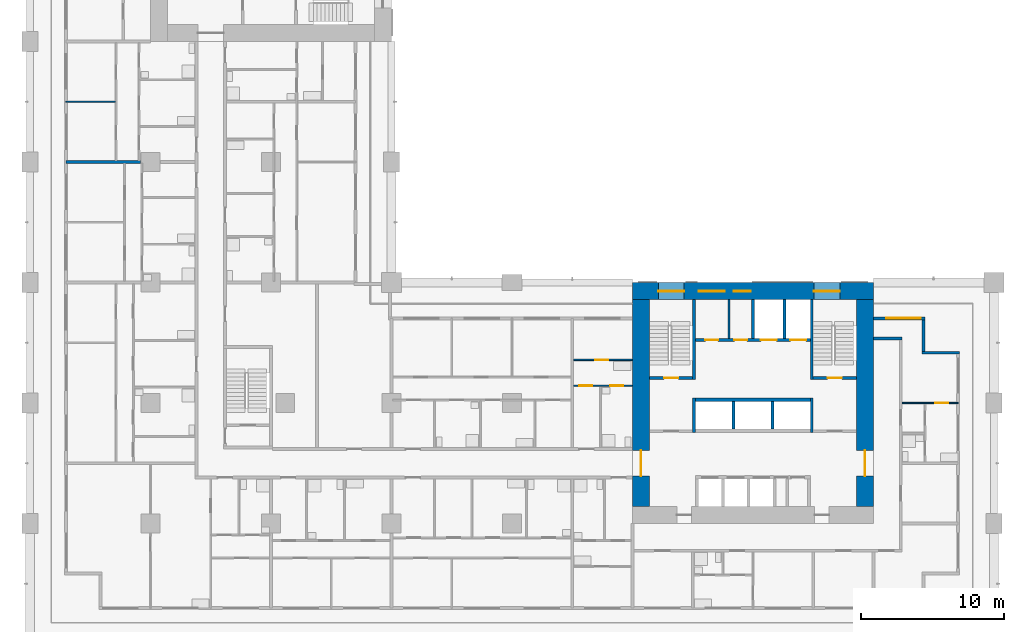
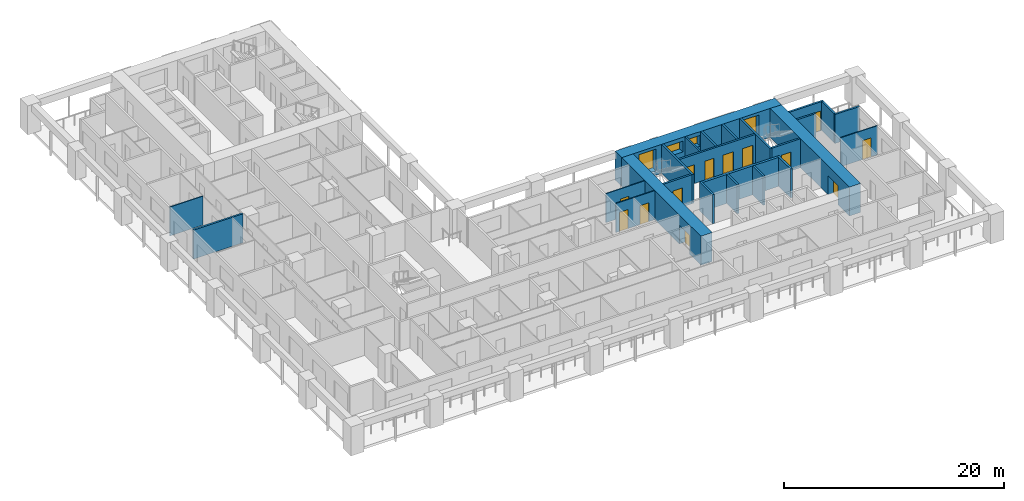
# One storey, part 7 of 19: 25 walls, 13 doors, 4 windows, 17 openings.
"""IFC4 building model written with IfcOpenShell, lengths in metres."""

from ifc_helpers import new_model, si_unit, direction, frame, frame_2d, origin, place, context, subcontext, project, spatial, rectangle, extrude, material, layer, layer_set, type_object, element, fill, save


model = new_model("IFC4")

# Units and contexts
model_context = context("Model", 3, precision=1e-05, world=origin(), true_north=direction((0.0, 1.0)))
body_context = subcontext(model_context, "Body", "Model", "MODEL_VIEW")
ifc_project = project(units=[si_unit("LENGTHUNIT", "METRE"), si_unit("AREAUNIT", "SQUARE_METRE"), si_unit("VOLUMEUNIT", "CUBIC_METRE"), si_unit("PLANEANGLEUNIT", "RADIAN"), si_unit("MASSUNIT", "GRAM", prefix="KILO")], contexts=[model_context])

# Site, building, storey
site_placement = place(None, origin())
site = spatial("IfcSite", under=ifc_project, at=site_placement, CompositionType="ELEMENT")
building_placement = place(site_placement, origin())
building = spatial("IfcBuilding", under=site, at=building_placement, Name="Vermilion Gate Residences", CompositionType="ELEMENT")
storey_placement = place(building_placement, frame((0.0, 0.0, 49.699951171875)))
storey = spatial("IfcBuildingStorey", under=building, at=storey_placement, Name="L11", CompositionType="ELEMENT", Elevation=49.699951171875)

# Walls
ifc_material_1 = material(Name="Masonry blockwork", Category="masonry")
ifc_layer_1 = layer(ifc_material_1, 0.14990234375)
ifc_layer_set_1 = layer_set([ifc_layer_1], Name="BLOCKWORK PARTITION 150 EI 120")
wall_type_1 = type_object("IfcWallType", Name="BLOCKWORK PARTITION 150 EI 120", PredefinedType="PARTITIONING", material=ifc_layer_set_1)
wall_1_placement = place(storey_placement, frame((48.72509765625, 21.300048828125, 0.0), z_axis=(0.0, 0.0, 1.0), x_axis=(0.0, 1.0, 0.0)))
element("IfcWall", 1, at=wall_1_placement, inside=storey, type_object=wall_type_1, Name="Core room partition A11-NR-P0", PredefinedType="PARTITIONING", context=body_context, shape_type="SweptSolid", body=[
    extrude(rectangle(XDim=2.699951171875, YDim=0.14990234375, at=frame_2d((1.35009765625, 0.0))), origin(), (0.0, 0.0, 1.0), 3.219970703125),
])
ifc_material_2 = material(Name="Insulated steel stud wall with terracotta rainscreen", Category="masonry")
ifc_layer_2 = layer(ifc_material_2, 0.199951171875)
ifc_layer_set_2 = layer_set([ifc_layer_2], Name="EXTERNAL WALL 200 TERRACOTTA RAINSCREEN")
wall_type_2 = type_object("IfcWallType", Name="EXTERNAL WALL 200 TERRACOTTA RAINSCREEN", PredefinedType="SOLIDWALL", material=ifc_layer_set_2)
wall_2_placement = place(storey_placement, frame((64.800048828125, 20.300048828125, 0.0), z_axis=(0.0, 0.0, 1.0), x_axis=(-1.0, 0.0, 0.0)))
element("IfcWall", 2, at=wall_2_placement, inside=storey, type_object=wall_type_2, Name="External wall", PredefinedType="SOLIDWALL", context=body_context, shape_type="SweptSolid", body=[
    extrude(rectangle(XDim=2.60009765625, YDim=0.199951171875, at=frame_2d((1.300048828125, 0.0))), origin(), (0.0, 0.0, 1.0), 3.219970703125),
])
wall_3_placement = place(storey_placement, frame((62.300048828125, 20.39990234375, 0.0), z_axis=(0.0, 0.0, 1.0), x_axis=(0.0, 1.0, 0.0)))
element("IfcWall", 3, at=wall_3_placement, inside=storey, type_object=wall_type_2, Name="External wall", PredefinedType="SOLIDWALL", context=body_context, shape_type="SweptSolid", body=[
    extrude(rectangle(XDim=2.2001953125, YDim=0.199951171875, at=frame_2d((1.10009765625, 0.0))), origin(), (0.0, 0.0, 1.0), 3.219970703125),
])

# Wall, opening, door
wall_4_placement = place(storey_placement, frame((62.39990234375, 22.699951171875, 0.0), z_axis=(0.0, 0.0, 1.0), x_axis=(-1.0, 0.0, 0.0)))
wall_4 = element("IfcWall", 4, at=wall_4_placement, inside=storey, type_object=wall_type_2, Name="External wall", PredefinedType="SOLIDWALL", context=body_context, shape_type="SweptSolid", body=[
    extrude(rectangle(XDim=3.599853515625, YDim=0.199951171875, at=frame_2d((1.7998046875, 0.0))), origin(), (0.0, 0.0, 1.0), 3.219970703125),
])
opening_1_placement = place(wall_4_placement, frame((0.300048828125, 0.0, 0.0)))
opening_1 = element("IfcOpeningElement", 5, at=opening_1_placement, cuts=wall_4, Name="Opening DE11032", PredefinedType="OPENING", context=body_context, shape_type="SweptSolid", body=[
    extrude(rectangle(XDim=2.39990234375, YDim=2.199951171875, at=frame_2d((1.199951171875, 1.10009765625))), frame((0.0, 0.10986328125, 0.0), z_axis=(0.0, -1.0, 0.0), x_axis=(1.0, 0.0, 0.0)), (0.0, 0.0, 1.0), 0.219970703125),
])
ifc_material_3 = material(Name="Aluminium and clear glass", Category="aluminium")
door_type_1 = type_object("IfcDoorType", Name="SLIDING GLAZED DOOR 2400 X 2200", OperationType="DOUBLE_DOOR_SLIDING", PredefinedType="DOOR", material=ifc_material_3)
door_1_placement = place(opening_1_placement, origin())
door_1 = element("IfcDoor", 6, at=door_1_placement, inside=storey, type_object=door_type_1, Name="Loggia sliding door", OperationType="DOUBLE_DOOR_SLIDING", OverallHeight=2.199951171875, OverallWidth=2.39990234375, PredefinedType="DOOR", context=body_context, shape_type="SweptSolid", body=[
    extrude(rectangle(XDim=2.39990234375, YDim=2.199951171875, at=frame_2d((1.199951171875, 1.10009765625))), frame((0.0, 0.02490234375, 0.0), z_axis=(0.0, -1.0, 0.0), x_axis=(1.0, 0.0, 0.0)), (0.0, 0.0, 1.0), 0.050048828125),
])
fill(opening_1, door_1)

ifc_material_4 = material(Name="Plasterboard on steel studs", Category="steel")
ifc_layer_3 = layer(ifc_material_4, 0.10009765625)
ifc_layer_set_3 = layer_set([ifc_layer_3], Name="PARTITION 100")
wall_type_3 = type_object("IfcWallType", Name="PARTITION 100", PredefinedType="PARTITIONING", material=ifc_layer_set_3)
wall_5_placement = place(storey_placement, frame((60.800048828125, 16.800048828125, 0.0), z_axis=(0.0, 0.0, 1.0), x_axis=(1.0, 0.0, 0.0)))
wall_5 = element("IfcWall", 7, at=wall_5_placement, inside=storey, type_object=wall_type_3, Name="Partition", PredefinedType="PARTITIONING", context=body_context, shape_type="SweptSolid", body=[
    extrude(rectangle(XDim=3.89990234375, YDim=0.10009765625, at=frame_2d((1.949951171875, 0.0))), origin(), (0.0, 0.0, 1.0), 3.219970703125),
])
opening_2_placement = place(wall_5_placement, frame((2.300048828125, 0.0, 0.0)))
opening_2 = element("IfcOpeningElement", 8, at=opening_2_placement, cuts=wall_5, Name="Opening DA10031", PredefinedType="OPENING", context=body_context, shape_type="SweptSolid", body=[
    extrude(rectangle(XDim=0.89990234375, YDim=2.10009765625, at=frame_2d((0.449951171875, 1.050048828125))), frame((0.0, 0.06005859375, 0.0), z_axis=(0.0, -1.0, 0.0), x_axis=(1.0, 0.0, 0.0)), (0.0, 0.0, 1.0), 0.1201171875),
])
ifc_material_5 = material(Name="Timber", Category="wood")
door_type_2 = type_object("IfcDoorType", Name="INTERIOR DOOR 900 X 2100", OperationType="SINGLE_SWING_LEFT", PredefinedType="DOOR", material=ifc_material_5)
door_2_placement = place(opening_2_placement, frame((0.89990234375, 0.0, 0.0), z_axis=(0.0, 0.0, 1.0), x_axis=(-1.0, 0.0, 0.0)))
door_2 = element("IfcDoor", 9, at=door_2_placement, inside=storey, type_object=door_type_2, Name="Interior door", OperationType="SINGLE_SWING_LEFT", OverallHeight=2.10009765625, OverallWidth=0.89990234375, PredefinedType="DOOR", context=body_context, shape_type="SweptSolid", body=[
    extrude(rectangle(XDim=0.89990234375, YDim=2.10009765625, at=frame_2d((0.449951171875, 1.050048828125))), frame((0.0, 0.02490234375, 0.0), z_axis=(0.0, -1.0, 0.0), x_axis=(1.0, 0.0, 0.0)), (0.0, 0.0, 1.0), 0.050048828125),
])
fill(opening_2, door_2)

# Wall, openings, doors
wall_6_placement = place(storey_placement, frame((37.89990234375, 18.0, 0.0), z_axis=(0.0, 0.0, 1.0), x_axis=(1.0, 0.0, 0.0)))
wall_6 = element("IfcWall", 10, at=wall_6_placement, inside=storey, type_object=wall_type_3, Name="Partition", PredefinedType="PARTITIONING", context=body_context, shape_type="SweptSolid", body=[
    extrude(rectangle(XDim=4.10009765625, YDim=0.10009765625, at=frame_2d((2.050048828125, 0.0))), origin(), (0.0, 0.0, 1.0), 3.219970703125),
])
opening_3_placement = place(wall_6_placement, frame((0.39990234375, 0.0, 0.0)))
opening_3 = element("IfcOpeningElement", 11, at=opening_3_placement, cuts=wall_6, Name="Opening DA10036", PredefinedType="OPENING", context=body_context, shape_type="SweptSolid", body=[
    extrude(rectangle(XDim=0.89990234375, YDim=2.10009765625, at=frame_2d((0.449951171875, 1.050048828125))), frame((0.0, 0.06005859375, 0.0), z_axis=(0.0, -1.0, 0.0), x_axis=(1.0, 0.0, 0.0)), (0.0, 0.0, 1.0), 0.1201171875),
])
opening_4_placement = place(wall_6_placement, frame((2.56005859375, 0.0, 0.0)))
opening_4 = element("IfcOpeningElement", 12, at=opening_4_placement, cuts=wall_6, Name="Opening DA10037", PredefinedType="OPENING", context=body_context, shape_type="SweptSolid", body=[
    extrude(rectangle(XDim=0.89990234375, YDim=2.10009765625, at=frame_2d((0.449951171875, 1.050048828125))), frame((0.0, 0.06005859375, 0.0), z_axis=(0.0, -1.0, 0.0), x_axis=(1.0, 0.0, 0.0)), (0.0, 0.0, 1.0), 0.1201171875),
])
door_3_placement = place(opening_3_placement, origin())
door_3 = element("IfcDoor", 13, at=door_3_placement, inside=storey, type_object=door_type_2, Name="Interior door", OperationType="SINGLE_SWING_LEFT", OverallHeight=2.10009765625, OverallWidth=0.89990234375, PredefinedType="DOOR", context=body_context, shape_type="SweptSolid", body=[
    extrude(rectangle(XDim=0.89990234375, YDim=2.10009765625, at=frame_2d((0.449951171875, 1.050048828125))), frame((0.0, 0.02490234375, 0.0), z_axis=(0.0, -1.0, 0.0), x_axis=(1.0, 0.0, 0.0)), (0.0, 0.0, 1.0), 0.050048828125),
])
fill(opening_3, door_3)
door_4_placement = place(opening_4_placement, origin())
door_4 = element("IfcDoor", 14, at=door_4_placement, inside=storey, type_object=door_type_2, Name="Interior door", OperationType="SINGLE_SWING_RIGHT", OverallHeight=2.10009765625, OverallWidth=0.89990234375, PredefinedType="DOOR", context=body_context, shape_type="SweptSolid", body=[
    extrude(rectangle(XDim=0.89990234375, YDim=2.10009765625, at=frame_2d((0.449951171875, 1.050048828125))), frame((0.0, 0.02490234375, 0.0), z_axis=(0.0, -1.0, 0.0), x_axis=(1.0, 0.0, 0.0)), (0.0, 0.0, 1.0), 0.050048828125),
])
fill(opening_4, door_4)

# Wall, opening, door
wall_7_placement = place(storey_placement, frame((37.89990234375, 19.800048828125, 0.0), z_axis=(0.0, 0.0, 1.0), x_axis=(1.0, 0.0, 0.0)))
wall_7 = element("IfcWall", 15, at=wall_7_placement, inside=storey, type_object=wall_type_3, Name="Partition", PredefinedType="PARTITIONING", context=body_context, shape_type="SweptSolid", body=[
    extrude(rectangle(XDim=4.10009765625, YDim=0.10009765625, at=frame_2d((2.050048828125, 0.0))), origin(), (0.0, 0.0, 1.0), 3.219970703125),
])
opening_5_placement = place(wall_7_placement, frame((1.5, 0.0, 0.0)))
opening_5 = element("IfcOpeningElement", 16, at=opening_5_placement, cuts=wall_7, Name="Opening DA10041", PredefinedType="OPENING", context=body_context, shape_type="SweptSolid", body=[
    extrude(rectangle(XDim=0.89990234375, YDim=2.10009765625, at=frame_2d((0.449951171875, 1.050048828125))), frame((0.0, 0.06005859375, 0.0), z_axis=(0.0, -1.0, 0.0), x_axis=(1.0, 0.0, 0.0)), (0.0, 0.0, 1.0), 0.1201171875),
])
door_5_placement = place(opening_5_placement, frame((0.89990234375, 0.0, 0.0), z_axis=(0.0, 0.0, 1.0), x_axis=(-1.0, 0.0, 0.0)))
door_5 = element("IfcDoor", 17, at=door_5_placement, inside=storey, type_object=door_type_2, Name="Interior door", OperationType="SINGLE_SWING_LEFT", OverallHeight=2.10009765625, OverallWidth=0.89990234375, PredefinedType="DOOR", context=body_context, shape_type="SweptSolid", body=[
    extrude(rectangle(XDim=0.89990234375, YDim=2.10009765625, at=frame_2d((0.449951171875, 1.050048828125))), frame((0.0, 0.02490234375, 0.0), z_axis=(0.0, -1.0, 0.0), x_axis=(1.0, 0.0, 0.0)), (0.0, 0.0, 1.0), 0.050048828125),
])
fill(opening_5, door_5)

# Walls
wall_8_placement = place(storey_placement, frame((2.5, 37.800048828125, 0.0), z_axis=(0.0, 0.0, 1.0), x_axis=(1.0, 0.0, 0.0)))
element("IfcWall", 18, at=wall_8_placement, inside=storey, type_object=wall_type_3, Name="Partition", PredefinedType="PARTITIONING", context=body_context, shape_type="SweptSolid", body=[
    extrude(rectangle(XDim=3.449951171875, YDim=0.10009765625, at=frame_2d((1.72509765625, 0.0))), origin(), (0.0, 0.0, 1.0), 3.219970703125),
])
ifc_material_6 = material(Name="Fire-rated plasterboard on steel studs", Category="steel")
ifc_layer_4 = layer(ifc_material_6, 0.199951171875)
ifc_layer_set_4 = layer_set([ifc_layer_4], Name="PARTY WALL 200 EI 120")
wall_type_4 = type_object("IfcWallType", Name="PARTY WALL 200 EI 120", PredefinedType="PARTITIONING", material=ifc_layer_set_4)
wall_9_placement = place(storey_placement, frame((58.800048828125, 21.300048828125, 0.0), z_axis=(0.0, 0.0, 1.0), x_axis=(1.0, 0.0, 0.0)))
element("IfcWall", 19, at=wall_9_placement, inside=storey, type_object=wall_type_4, Name="Party and corridor wall", PredefinedType="PARTITIONING", context=body_context, shape_type="SweptSolid", body=[
    extrude(rectangle(XDim=2.0, YDim=0.199951171875, at=frame_2d((1.0, 0.0))), origin(), (0.0, 0.0, 1.0), 3.219970703125),
])
wall_10_placement = place(storey_placement, frame((2.5, 33.60009765625, 0.0), z_axis=(0.0, 0.0, 1.0), x_axis=(1.0, 0.0, 0.0)))
element("IfcWall", 20, at=wall_10_placement, inside=storey, type_object=wall_type_4, Name="Party and corridor wall", PredefinedType="PARTITIONING", context=body_context, shape_type="SweptSolid", body=[
    extrude(rectangle(XDim=5.199951171875, YDim=0.199951171875, at=frame_2d((2.60009765625, 0.0))), origin(), (0.0, 0.0, 1.0), 3.219970703125),
])
ifc_material_7 = material(Name="Concrete C60", Category="concrete")
ifc_layer_5 = layer(ifc_material_7, 0.199951171875)
ifc_layer_set_5 = layer_set([ifc_layer_5], Name="RC CORE INTERNAL WALL 200 C60")
wall_type_5 = type_object("IfcWallType", Name="RC CORE INTERNAL WALL 200 C60", PredefinedType="SHEAR", material=ifc_layer_set_5)
for number, where, z_axis, x_axis, name in (
    (21, (49.033447265625, 15.0, 0.0), (0.0, 0.0, 1.0), (0.0, 1.0, 0.0), "Core internal wall A11-HR-D1"),
    (22, (51.7666015625, 15.0, 0.0), (0.0, 0.0, 1.0), (0.0, 1.0, 0.0), "Core internal wall A11-HR-D2"),
):
    element("IfcWall", number, at=place(storey_placement, frame(where, z_axis=z_axis, x_axis=x_axis)), inside=storey, type_object=wall_type_5, Name=name, PredefinedType="SHEAR", context=body_context, shape_type="SweptSolid", body=[
        extrude(rectangle(XDim=1.89990234375, YDim=0.199951171875, at=frame_2d((0.949951171875, 0.0))), origin(), (0.0, 0.0, 1.0), 3.219970703125),
    ])
for number, where, z_axis, x_axis, name in (
    (23, (50.39990234375, 21.300048828125, 0.0), (0.0, 0.0, 1.0), (0.0, 1.0, 0.0), "Core internal wall A11-FF-D0"),
    (24, (52.60009765625, 21.300048828125, 0.0), (0.0, 0.0, 1.0), (0.0, 1.0, 0.0), "Core internal wall A11-FF-D1"),
):
    element("IfcWall", number, at=place(storey_placement, frame(where, z_axis=z_axis, x_axis=x_axis)), inside=storey, type_object=wall_type_5, Name=name, PredefinedType="SHEAR", context=body_context, shape_type="SweptSolid", body=[
        extrude(rectangle(XDim=2.699951171875, YDim=0.199951171875, at=frame_2d((1.35009765625, 0.0))), origin(), (0.0, 0.0, 1.0), 3.219970703125),
    ])

# Wall, openings, doors
wall_11_placement = place(storey_placement, frame((46.39990234375, 21.199951171875, 0.0), z_axis=(0.0, 0.0, 1.0), x_axis=(1.0, 0.0, 0.0)))
wall_11 = element("IfcWall", 25, at=wall_11_placement, inside=storey, type_object=wall_type_5, Name="Core internal wall A11-FF-F", PredefinedType="SHEAR", context=body_context, shape_type="SweptSolid", body=[
    extrude(rectangle(XDim=8.0, YDim=0.199951171875, at=frame_2d((4.0, 0.0))), origin(), (0.0, 0.0, 1.0), 3.219970703125),
])
opening_6_placement = place(wall_11_placement, frame((0.675048828125, 0.0, 0.0)))
opening_6 = element("IfcOpeningElement", 26, at=opening_6_placement, cuts=wall_11, Name="Opening DK11010", PredefinedType="OPENING", context=body_context, shape_type="SweptSolid", body=[
    extrude(rectangle(XDim=0.89990234375, YDim=2.10009765625, at=frame_2d((0.449951171875, 1.050048828125))), frame((0.0, 0.10986328125, 0.0), z_axis=(0.0, -1.0, 0.0), x_axis=(1.0, 0.0, 0.0)), (0.0, 0.0, 1.0), 0.219970703125),
])
opening_7_placement = place(wall_11_placement, frame((2.699951171875, 0.0, 0.0)))
opening_7 = element("IfcOpeningElement", 27, at=opening_7_placement, cuts=wall_11, Name="Opening DK11011", PredefinedType="OPENING", context=body_context, shape_type="SweptSolid", body=[
    extrude(rectangle(XDim=0.89990234375, YDim=2.10009765625, at=frame_2d((0.449951171875, 1.050048828125))), frame((0.0, 0.10986328125, 0.0), z_axis=(0.0, -1.0, 0.0), x_axis=(1.0, 0.0, 0.0)), (0.0, 0.0, 1.0), 0.219970703125),
])
opening_8_placement = place(wall_11_placement, frame((4.550048828125, 0.0, 0.0)))
opening_8 = element("IfcOpeningElement", 28, at=opening_8_placement, cuts=wall_11, Name="Opening LD", PredefinedType="OPENING", context=body_context, shape_type="SweptSolid", body=[
    extrude(rectangle(XDim=1.10009765625, YDim=2.10009765625, at=frame_2d((0.550048828125, 1.050048828125))), frame((0.0, 0.10986328125, 0.0), z_axis=(0.0, -1.0, 0.0), x_axis=(1.0, 0.0, 0.0)), (0.0, 0.0, 1.0), 0.219970703125),
])
opening_9_placement = place(wall_11_placement, frame((6.60009765625, 0.0, 0.0)))
opening_9 = element("IfcOpeningElement", 29, at=opening_9_placement, cuts=wall_11, Name="Opening LD", PredefinedType="OPENING", context=body_context, shape_type="SweptSolid", body=[
    extrude(rectangle(XDim=1.10009765625, YDim=2.10009765625, at=frame_2d((0.550048828125, 1.050048828125))), frame((0.0, 0.10986328125, 0.0), z_axis=(0.0, -1.0, 0.0), x_axis=(1.0, 0.0, 0.0)), (0.0, 0.0, 1.0), 0.219970703125),
])
ifc_material_8 = material(Name="Stainless steel", Category="steel")
door_type_3 = type_object("IfcDoorType", Name="LIFT LANDING DOOR E60 1100 X 2100", OperationType="DOUBLE_DOOR_SLIDING", PredefinedType="DOOR", material=ifc_material_8)
door_6_placement = place(opening_8_placement, origin())
door_6 = element("IfcDoor", 30, at=door_6_placement, inside=storey, type_object=door_type_3, Name="Lift landing door LFA1", OperationType="DOUBLE_DOOR_SLIDING", OverallHeight=2.10009765625, OverallWidth=1.10009765625, PredefinedType="DOOR", context=body_context, shape_type="SweptSolid", body=[
    extrude(rectangle(XDim=1.10009765625, YDim=2.10009765625, at=frame_2d((0.550048828125, 1.050048828125))), frame((0.0, 0.02490234375, 0.0), z_axis=(0.0, -1.0, 0.0), x_axis=(1.0, 0.0, 0.0)), (0.0, 0.0, 1.0), 0.050048828125),
])
fill(opening_8, door_6)
door_7_placement = place(opening_9_placement, origin())
door_7 = element("IfcDoor", 31, at=door_7_placement, inside=storey, type_object=door_type_3, Name="Lift landing door LCA1", OperationType="DOUBLE_DOOR_SLIDING", OverallHeight=2.10009765625, OverallWidth=1.10009765625, PredefinedType="DOOR", context=body_context, shape_type="SweptSolid", body=[
    extrude(rectangle(XDim=1.10009765625, YDim=2.10009765625, at=frame_2d((0.550048828125, 1.050048828125))), frame((0.0, 0.02490234375, 0.0), z_axis=(0.0, -1.0, 0.0), x_axis=(1.0, 0.0, 0.0)), (0.0, 0.0, 1.0), 0.050048828125),
])
fill(opening_9, door_7)
ifc_material_9 = material(Name="Steel", Category="steel")
door_type_4 = type_object("IfcDoorType", Name="SERVICE ROOM DOOR FD60 900 X 2100", OperationType="SINGLE_SWING_LEFT", PredefinedType="DOOR", material=ifc_material_9)
door_8_placement = place(opening_6_placement, origin())
door_8 = element("IfcDoor", 32, at=door_8_placement, inside=storey, type_object=door_type_4, Name="Parcel room A11", OperationType="SINGLE_SWING_LEFT", OverallHeight=2.10009765625, OverallWidth=0.89990234375, PredefinedType="DOOR", context=body_context, shape_type="SweptSolid", body=[
    extrude(rectangle(XDim=0.89990234375, YDim=2.10009765625, at=frame_2d((0.449951171875, 1.050048828125))), frame((0.0, 0.02490234375, 0.0), z_axis=(0.0, -1.0, 0.0), x_axis=(1.0, 0.0, 0.0)), (0.0, 0.0, 1.0), 0.050048828125),
])
fill(opening_6, door_8)
door_9_placement = place(opening_7_placement, frame((0.89990234375, 0.0, 0.0), z_axis=(0.0, 0.0, 1.0), x_axis=(-1.0, 0.0, 0.0)))
door_9 = element("IfcDoor", 33, at=door_9_placement, inside=storey, type_object=door_type_4, Name="Electrical room A11", OperationType="SINGLE_SWING_RIGHT", OverallHeight=2.10009765625, OverallWidth=0.89990234375, PredefinedType="DOOR", context=body_context, shape_type="SweptSolid", body=[
    extrude(rectangle(XDim=0.89990234375, YDim=2.10009765625, at=frame_2d((0.449951171875, 1.050048828125))), frame((0.0, 0.02490234375, 0.0), z_axis=(0.0, -1.0, 0.0), x_axis=(1.0, 0.0, 0.0)), (0.0, 0.0, 1.0), 0.050048828125),
])
fill(opening_7, door_9)

# Walls
wall_12_placement = place(storey_placement, frame((46.300048828125, 14.75, 0.0), z_axis=(0.0, 0.0, 1.0), x_axis=(0.0, 1.0, 0.0)))
element("IfcWall", 34, at=wall_12_placement, inside=storey, type_object=wall_type_5, Name="Core internal wall A11-WDIV1", PredefinedType="SHEAR", context=body_context, shape_type="SweptSolid", body=[
    extrude(rectangle(XDim=2.39990234375, YDim=0.199951171875, at=frame_2d((1.199951171875, 0.0))), origin(), (0.0, 0.0, 1.0), 3.219970703125),
])
wall_13_placement = place(storey_placement, frame((46.300048828125, 18.449951171875, 0.0), z_axis=(0.0, 0.0, 1.0), x_axis=(0.0, 1.0, 0.0)))
element("IfcWall", 35, at=wall_13_placement, inside=storey, type_object=wall_type_5, Name="Core internal wall A11-WDIV2", PredefinedType="SHEAR", context=body_context, shape_type="SweptSolid", body=[
    extrude(rectangle(XDim=5.550048828125, YDim=0.199951171875, at=frame_2d((2.77490234375, 0.0))), origin(), (0.0, 0.0, 1.0), 3.219970703125),
])

# Wall, opening, door
wall_14_placement = place(storey_placement, frame((43.199951171875, 18.550048828125, 0.0), z_axis=(0.0, 0.0, 1.0), x_axis=(1.0, 0.0, 0.0)))
wall_14 = element("IfcWall", 36, at=wall_14_placement, inside=storey, type_object=wall_type_5, Name="Core internal wall A11-STW-S", PredefinedType="SHEAR", context=body_context, shape_type="SweptSolid", body=[
    extrude(rectangle(XDim=3.0, YDim=0.199951171875, at=frame_2d((1.5, 0.0))), origin(), (0.0, 0.0, 1.0), 3.219970703125),
])
opening_10_placement = place(wall_14_placement, frame((1.0, 0.0, 0.0)))
opening_10 = element("IfcOpeningElement", 37, at=opening_10_placement, cuts=wall_14, Name="Opening DK11015", PredefinedType="OPENING", context=body_context, shape_type="SweptSolid", body=[
    extrude(rectangle(XDim=1.0, YDim=2.10009765625, at=frame_2d((0.5, 1.050048828125))), frame((0.0, 0.10986328125, 0.0), z_axis=(0.0, -1.0, 0.0), x_axis=(1.0, 0.0, 0.0)), (0.0, 0.0, 1.0), 0.219970703125),
])
ifc_material_10 = material(Name="Steel", Category="steel")
door_type_5 = type_object("IfcDoorType", Name="FIRE DOOR FD60 1000 X 2100", OperationType="SINGLE_SWING_LEFT", PredefinedType="DOOR", material=ifc_material_10)
door_10_placement = place(opening_10_placement, origin())
door_10 = element("IfcDoor", 38, at=door_10_placement, inside=storey, type_object=door_type_5, Name="Stair door A11", OperationType="SINGLE_SWING_LEFT", OverallHeight=2.10009765625, OverallWidth=1.0, PredefinedType="DOOR", context=body_context, shape_type="SweptSolid", body=[
    extrude(rectangle(XDim=1.0, YDim=2.10009765625, at=frame_2d((0.5, 1.050048828125))), frame((0.0, 0.02490234375, 0.0), z_axis=(0.0, -1.0, 0.0), x_axis=(1.0, 0.0, 0.0)), (0.0, 0.0, 1.0), 0.050048828125),
])
fill(opening_10, door_10)

# Walls
wall_15_placement = place(storey_placement, frame((54.5, 14.75, 0.0), z_axis=(0.0, 0.0, 1.0), x_axis=(0.0, 1.0, 0.0)))
element("IfcWall", 39, at=wall_15_placement, inside=storey, type_object=wall_type_5, Name="Core internal wall A11-EDIV1", PredefinedType="SHEAR", context=body_context, shape_type="SweptSolid", body=[
    extrude(rectangle(XDim=2.39990234375, YDim=0.199951171875, at=frame_2d((1.199951171875, 0.0))), origin(), (0.0, 0.0, 1.0), 3.219970703125),
])
wall_16_placement = place(storey_placement, frame((54.5, 18.449951171875, 0.0), z_axis=(0.0, 0.0, 1.0), x_axis=(0.0, 1.0, 0.0)))
element("IfcWall", 40, at=wall_16_placement, inside=storey, type_object=wall_type_5, Name="Core internal wall A11-EDIV2", PredefinedType="SHEAR", context=body_context, shape_type="SweptSolid", body=[
    extrude(rectangle(XDim=5.550048828125, YDim=0.199951171875, at=frame_2d((2.77490234375, 0.0))), origin(), (0.0, 0.0, 1.0), 3.219970703125),
])

# Wall, opening, door
wall_17_placement = place(storey_placement, frame((54.60009765625, 18.550048828125, 0.0), z_axis=(0.0, 0.0, 1.0), x_axis=(1.0, 0.0, 0.0)))
wall_17 = element("IfcWall", 41, at=wall_17_placement, inside=storey, type_object=wall_type_5, Name="Core internal wall A11-STE-S", PredefinedType="SHEAR", context=body_context, shape_type="SweptSolid", body=[
    extrude(rectangle(XDim=3.0, YDim=0.199951171875, at=frame_2d((1.5, 0.0))), origin(), (0.0, 0.0, 1.0), 3.219970703125),
])
opening_11_placement = place(wall_17_placement, frame((1.0, 0.0, 0.0)))
opening_11 = element("IfcOpeningElement", 42, at=opening_11_placement, cuts=wall_17, Name="Opening DK11017", PredefinedType="OPENING", context=body_context, shape_type="SweptSolid", body=[
    extrude(rectangle(XDim=1.0, YDim=2.10009765625, at=frame_2d((0.5, 1.050048828125))), frame((0.0, 0.10986328125, 0.0), z_axis=(0.0, -1.0, 0.0), x_axis=(1.0, 0.0, 0.0)), (0.0, 0.0, 1.0), 0.219970703125),
])
door_11_placement = place(opening_11_placement, origin())
door_11 = element("IfcDoor", 43, at=door_11_placement, inside=storey, type_object=door_type_5, Name="Stair door A11", OperationType="SINGLE_SWING_LEFT", OverallHeight=2.10009765625, OverallWidth=1.0, PredefinedType="DOOR", context=body_context, shape_type="SweptSolid", body=[
    extrude(rectangle(XDim=1.0, YDim=2.10009765625, at=frame_2d((0.5, 1.050048828125))), frame((0.0, 0.02490234375, 0.0), z_axis=(0.0, -1.0, 0.0), x_axis=(1.0, 0.0, 0.0)), (0.0, 0.0, 1.0), 0.050048828125),
])
fill(opening_11, door_11)

ifc_material_11 = material(Name="Concrete C80", Category="concrete")
ifc_layer_6 = layer(ifc_material_11, 1.199951171875)
ifc_layer_set_6 = layer_set([ifc_layer_6], Name="RC CORE WALL 1200 C80")
wall_type_6 = type_object("IfcWallType", Name="RC CORE WALL 1200 C80", PredefinedType="SHEAR", material=ifc_layer_set_6)
wall_18_placement = place(storey_placement, frame((42.60009765625, 9.60009765625, 0.0), z_axis=(0.0, 0.0, 1.0), x_axis=(0.0, 1.0, 0.0)))
wall_18 = element("IfcWall", 44, at=wall_18_placement, inside=storey, type_object=wall_type_6, Name="Core wall A11-OUT-FR", PredefinedType="SHEAR", context=body_context, shape_type="SweptSolid", body=[
    extrude(rectangle(XDim=14.39990234375, YDim=1.199951171875, at=frame_2d((7.199951171875, 0.0))), origin(), (0.0, 0.0, 1.0), 3.219970703125),
])
opening_12_placement = place(wall_18_placement, frame((2.10009765625, 0.0, 0.0)))
opening_12 = element("IfcOpeningElement", 45, at=opening_12_placement, cuts=wall_18, Name="Opening DK11003", PredefinedType="OPENING", context=body_context, shape_type="SweptSolid", body=[
    extrude(rectangle(XDim=1.800048828125, YDim=2.10009765625, at=frame_2d((0.89990234375, 1.050048828125))), frame((0.0, 0.60986328125, 0.0), z_axis=(0.0, -1.0, 0.0), x_axis=(1.0, 0.0, 0.0)), (0.0, 0.0, 1.0), 1.219970703125),
])
ifc_material_12 = material(Name="Steel", Category="steel")
door_type_6 = type_object("IfcDoorType", Name="CORE LOBBY DOOR FD60 1800 X 2100", OperationType="DOUBLE_DOOR_SINGLE_SWING", PredefinedType="DOOR", material=ifc_material_12)
door_12_placement = place(opening_12_placement, frame((1.800048828125, 0.0, 0.0), z_axis=(0.0, 0.0, 1.0), x_axis=(-1.0, 0.0, 0.0)))
door_12 = element("IfcDoor", 46, at=door_12_placement, inside=storey, type_object=door_type_6, Name="Core lobby door A11", OperationType="DOUBLE_DOOR_SINGLE_SWING", OverallHeight=2.10009765625, OverallWidth=1.800048828125, PredefinedType="DOOR", context=body_context, shape_type="SweptSolid", body=[
    extrude(rectangle(XDim=1.800048828125, YDim=2.10009765625, at=frame_2d((0.89990234375, 1.050048828125))), frame((0.0, 0.02490234375, 0.0), z_axis=(0.0, -1.0, 0.0), x_axis=(1.0, 0.0, 0.0)), (0.0, 0.0, 1.0), 0.050048828125),
])
fill(opening_12, door_12)

wall_19_placement = place(storey_placement, frame((58.199951171875, 9.60009765625, 0.0), z_axis=(0.0, 0.0, 1.0), x_axis=(0.0, 1.0, 0.0)))
wall_19 = element("IfcWall", 47, at=wall_19_placement, inside=storey, type_object=wall_type_6, Name="Core wall A11-OUT-BK", PredefinedType="SHEAR", context=body_context, shape_type="SweptSolid", body=[
    extrude(rectangle(XDim=14.39990234375, YDim=1.199951171875, at=frame_2d((7.199951171875, 0.0))), origin(), (0.0, 0.0, 1.0), 3.219970703125),
])
opening_13_placement = place(wall_19_placement, frame((2.10009765625, 0.0, 0.0)))
opening_13 = element("IfcOpeningElement", 48, at=opening_13_placement, cuts=wall_19, Name="Opening DK11004", PredefinedType="OPENING", context=body_context, shape_type="SweptSolid", body=[
    extrude(rectangle(XDim=1.800048828125, YDim=2.10009765625, at=frame_2d((0.89990234375, 1.050048828125))), frame((0.0, 0.60986328125, 0.0), z_axis=(0.0, -1.0, 0.0), x_axis=(1.0, 0.0, 0.0)), (0.0, 0.0, 1.0), 1.219970703125),
])
door_13_placement = place(opening_13_placement, origin())
door_13 = element("IfcDoor", 49, at=door_13_placement, inside=storey, type_object=door_type_6, Name="Core lobby door A11", OperationType="DOUBLE_DOOR_SINGLE_SWING", OverallHeight=2.10009765625, OverallWidth=1.800048828125, PredefinedType="DOOR", context=body_context, shape_type="SweptSolid", body=[
    extrude(rectangle(XDim=1.800048828125, YDim=2.10009765625, at=frame_2d((0.89990234375, 1.050048828125))), frame((0.0, 0.02490234375, 0.0), z_axis=(0.0, -1.0, 0.0), x_axis=(1.0, 0.0, 0.0)), (0.0, 0.0, 1.0), 0.050048828125),
])
fill(opening_13, door_13)

# Wall, openings, windows
ifc_material_13 = material(Name="Concrete C80 red-oxide pigmented", Category="concrete")
ifc_layer_7 = layer(ifc_material_13, 1.199951171875)
ifc_layer_set_7 = layer_set([ifc_layer_7], Name="RC CORE WALL 1200 C80 RED OXIDE")
wall_type_7 = type_object("IfcWallType", Name="RC CORE WALL 1200 C80 RED OXIDE", PredefinedType="SHEAR", material=ifc_layer_set_7)
wall_20_placement = place(storey_placement, frame((42.0, 24.60009765625, 0.0), z_axis=(0.0, 0.0, 1.0), x_axis=(1.0, 0.0, 0.0)))
wall_20 = element("IfcWall", 50, at=wall_20_placement, inside=storey, type_object=wall_type_7, Name="Core wall A11-OUT-B1", PredefinedType="SHEAR", context=body_context, shape_type="SweptSolid", body=[
    extrude(rectangle(XDim=16.800048828125, YDim=1.199951171875, at=frame_2d((8.39990234375, 0.0))), origin(), (0.0, 0.0, 1.0), 3.219970703125),
])
opening_14_placement = place(wall_20_placement, frame((1.800048828125, 0.0, 0.5)))
opening_14 = element("IfcOpeningElement", 51, at=opening_14_placement, cuts=wall_20, Name="Opening WKA1101", PredefinedType="OPENING", context=body_context, shape_type="SweptSolid", body=[
    extrude(rectangle(XDim=1.800048828125, YDim=2.39990234375, at=frame_2d((0.89990234375, 1.199951171875))), frame((0.0, 0.60986328125, 0.0), z_axis=(0.0, -1.0, 0.0), x_axis=(1.0, 0.0, 0.0)), (0.0, 0.0, 1.0), 1.219970703125),
])
opening_15_placement = place(wall_20_placement, frame((4.625, 0.0, 1.60009765625)))
opening_15 = element("IfcOpeningElement", 52, at=opening_15_placement, cuts=wall_20, Name="Opening WKA1102", PredefinedType="OPENING", context=body_context, shape_type="SweptSolid", body=[
    extrude(rectangle(XDim=1.800048828125, YDim=1.199951171875, at=frame_2d((0.89990234375, 0.60009765625))), frame((0.0, 0.60986328125, 0.0), z_axis=(0.0, -1.0, 0.0), x_axis=(1.0, 0.0, 0.0)), (0.0, 0.0, 1.0), 1.219970703125),
])
opening_16_placement = place(wall_20_placement, frame((7.050048828125, 0.0, 1.60009765625)))
opening_16 = element("IfcOpeningElement", 53, at=opening_16_placement, cuts=wall_20, Name="Opening WKA1103", PredefinedType="OPENING", context=body_context, shape_type="SweptSolid", body=[
    extrude(rectangle(XDim=1.199951171875, YDim=1.199951171875, at=frame_2d((0.60009765625, 0.60009765625))), frame((0.0, 0.60986328125, 0.0), z_axis=(0.0, -1.0, 0.0), x_axis=(1.0, 0.0, 0.0)), (0.0, 0.0, 1.0), 1.219970703125),
])
opening_17_placement = place(wall_20_placement, frame((12.64990234375, 0.0, 0.5)))
opening_17 = element("IfcOpeningElement", 54, at=opening_17_placement, cuts=wall_20, Name="Opening WKA1104", PredefinedType="OPENING", context=body_context, shape_type="SweptSolid", body=[
    extrude(rectangle(XDim=1.800048828125, YDim=2.39990234375, at=frame_2d((0.89990234375, 1.199951171875))), frame((0.0, 0.60986328125, 0.0), z_axis=(0.0, -1.0, 0.0), x_axis=(1.0, 0.0, 0.0)), (0.0, 0.0, 1.0), 1.219970703125),
])
ifc_material_14 = material(Name="Aluminium frame with louvre blades", Category="aluminium")
window_type_1 = type_object("IfcWindowType", Name="CORE LOUVRE 1200 X 1200", PartitioningType="SINGLE_PANEL", PredefinedType="WINDOW", material=ifc_material_14)
window_1_placement = place(opening_16_placement, origin())
window_1 = element("IfcWindow", 55, at=window_1_placement, inside=storey, type_object=window_type_1, Name="Core louvre", OverallHeight=1.199951171875, OverallWidth=1.199951171875, PartitioningType="SINGLE_PANEL", PredefinedType="WINDOW", context=body_context, shape_type="SweptSolid", body=[
    extrude(rectangle(XDim=1.199951171875, YDim=1.199951171875, at=frame_2d((0.60009765625, 0.60009765625))), frame((0.0, 0.030029296875, 0.0), z_axis=(0.0, -1.0, 0.0), x_axis=(1.0, 0.0, 0.0)), (0.0, 0.0, 1.0), 0.06005859375),
])
fill(opening_16, window_1)
ifc_material_15 = material(Name="Aluminium frame with louvre blades", Category="aluminium")
window_type_2 = type_object("IfcWindowType", Name="CORE LOUVRE 1800 X 1200", PartitioningType="SINGLE_PANEL", PredefinedType="WINDOW", material=ifc_material_15)
window_2_placement = place(opening_15_placement, origin())
window_2 = element("IfcWindow", 56, at=window_2_placement, inside=storey, type_object=window_type_2, Name="Core louvre", OverallHeight=1.199951171875, OverallWidth=1.800048828125, PartitioningType="SINGLE_PANEL", PredefinedType="WINDOW", context=body_context, shape_type="SweptSolid", body=[
    extrude(rectangle(XDim=1.800048828125, YDim=1.199951171875, at=frame_2d((0.89990234375, 0.60009765625))), frame((0.0, 0.030029296875, 0.0), z_axis=(0.0, -1.0, 0.0), x_axis=(1.0, 0.0, 0.0)), (0.0, 0.0, 1.0), 0.06005859375),
])
fill(opening_15, window_2)
ifc_material_16 = material(Name="Aluminium and clear glass", Category="aluminium")
window_type_3 = type_object("IfcWindowType", Name="CORE STAIR WINDOW 1800 X 2400", PartitioningType="SINGLE_PANEL", PredefinedType="WINDOW", material=ifc_material_16)
window_3_placement = place(opening_14_placement, origin())
window_3 = element("IfcWindow", 57, at=window_3_placement, inside=storey, type_object=window_type_3, Name="Core stair window", OverallHeight=2.39990234375, OverallWidth=1.800048828125, PartitioningType="SINGLE_PANEL", PredefinedType="WINDOW", context=body_context, shape_type="SweptSolid", body=[
    extrude(rectangle(XDim=1.800048828125, YDim=2.39990234375, at=frame_2d((0.89990234375, 1.199951171875))), frame((0.0, 0.030029296875, 0.0), z_axis=(0.0, -1.0, 0.0), x_axis=(1.0, 0.0, 0.0)), (0.0, 0.0, 1.0), 0.06005859375),
])
fill(opening_14, window_3)
window_4_placement = place(opening_17_placement, origin())
window_4 = element("IfcWindow", 58, at=window_4_placement, inside=storey, type_object=window_type_3, Name="Core stair window", OverallHeight=2.39990234375, OverallWidth=1.800048828125, PartitioningType="SINGLE_PANEL", PredefinedType="WINDOW", context=body_context, shape_type="SweptSolid", body=[
    extrude(rectangle(XDim=1.800048828125, YDim=2.39990234375, at=frame_2d((0.89990234375, 1.199951171875))), frame((0.0, 0.030029296875, 0.0), z_axis=(0.0, -1.0, 0.0), x_axis=(1.0, 0.0, 0.0)), (0.0, 0.0, 1.0), 0.06005859375),
])
fill(opening_17, window_4)

# Wall
ifc_material_17 = material(Name="Concrete C60", Category="concrete")
ifc_layer_8 = layer(ifc_material_17, 0.25)
ifc_layer_set_8 = layer_set([ifc_layer_8], Name="RC LIFT SHAFT WALL 250 C60")
wall_type_8 = type_object("IfcWallType", Name="RC LIFT SHAFT WALL 250 C60", PredefinedType="SHEAR", material=ifc_layer_set_8)
wall_21_placement = place(storey_placement, frame((46.39990234375, 17.02490234375, 0.0), z_axis=(0.0, 0.0, 1.0), x_axis=(1.0, 0.0, 0.0)))
element("IfcWall", 59, at=wall_21_placement, inside=storey, type_object=wall_type_8, Name="Lift shaft wall A11-HR-B", PredefinedType="SHEAR", context=body_context, shape_type="SweptSolid", body=[
    extrude(rectangle(XDim=8.0, YDim=0.25, at=frame_2d((4.0, 0.0))), origin(), (0.0, 0.0, 1.0), 3.219970703125),
])

save(model, "model.ifc")
